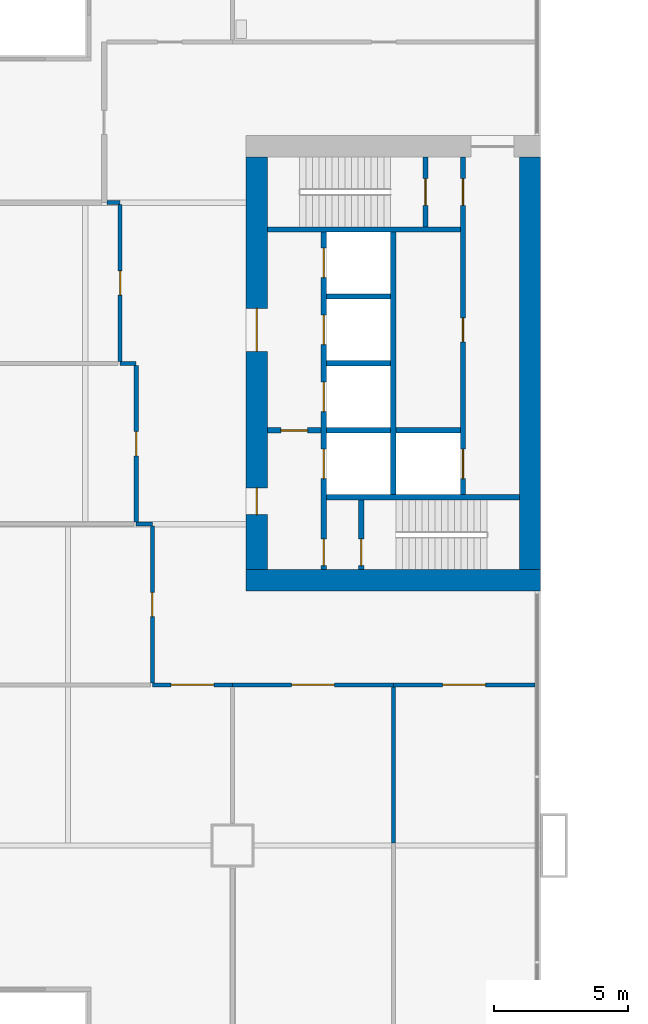
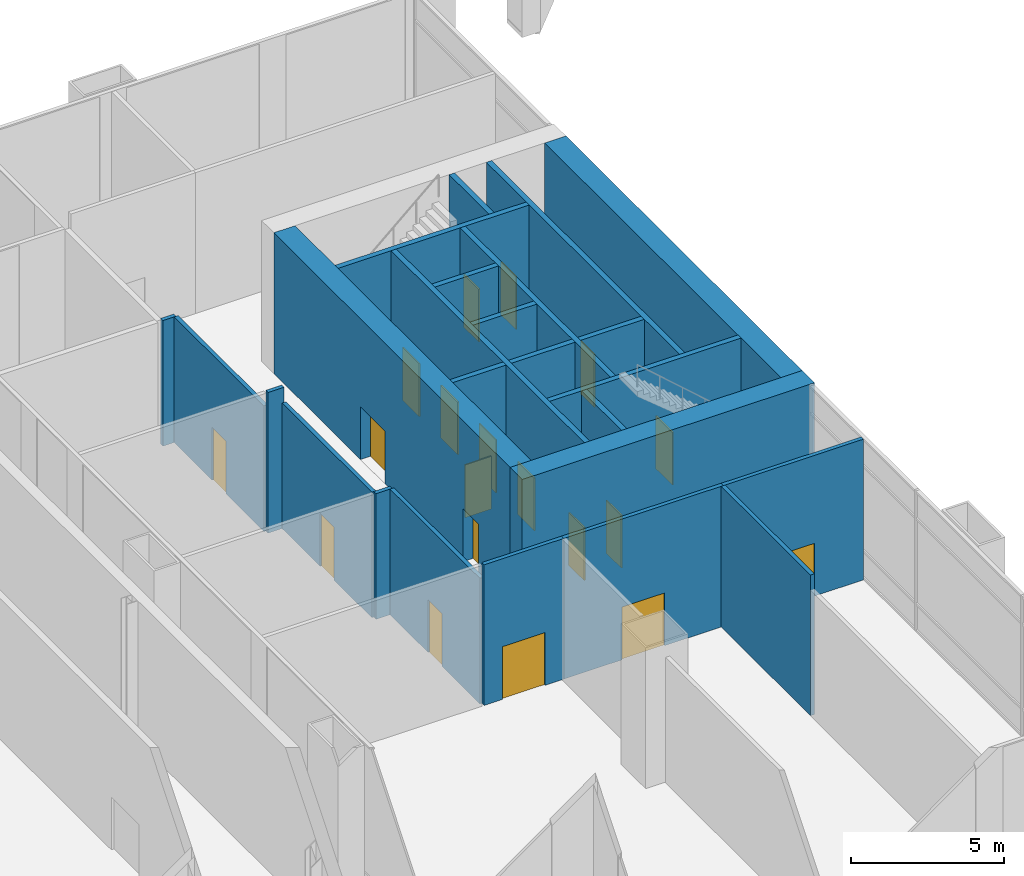
# One storey, part 18 of 25: 25 walls, 19 doors, 19 openings.
"""IFC4 building model written with IfcOpenShell, lengths in metres."""

from ifc_helpers import new_model, si_unit, direction, frame, frame_2d, origin, place, context, subcontext, project, spatial, rectangle, extrude, material, layer, layer_set, type_object, element, fill, save


model = new_model("IFC4")

# Units and contexts
model_context = context("Model", 3, precision=1e-05, world=origin(), true_north=direction((0.0, 1.0)))
body_context = subcontext(model_context, "Body", "Model", "MODEL_VIEW")
ifc_project = project(units=[si_unit("LENGTHUNIT", "METRE"), si_unit("AREAUNIT", "SQUARE_METRE"), si_unit("VOLUMEUNIT", "CUBIC_METRE"), si_unit("PLANEANGLEUNIT", "RADIAN"), si_unit("MASSUNIT", "GRAM", prefix="KILO")], contexts=[model_context])

# Site, building, storey
site_placement = place(None, origin())
site = spatial("IfcSite", under=ifc_project, at=site_placement, CompositionType="ELEMENT")
building_placement = place(site_placement, origin())
building = spatial("IfcBuilding", under=site, at=building_placement, Name="Kitamizu Gate Tower and Museum", CompositionType="ELEMENT")
storey_placement = place(building_placement, frame((0.0, 0.0, 12.0)))
storey = spatial("IfcBuildingStorey", under=building, at=storey_placement, Name="L02", CompositionType="ELEMENT", Elevation=12.0)

# Wall
ifc_material_1 = material(Name="Concrete Fc60", Category="concrete")
ifc_layer_1 = layer(ifc_material_1, 0.800048828125)
ifc_layer_set_1 = layer_set([ifc_layer_1], Name="Concrete Fc60")
wall_type_1 = type_object("IfcWallType", Name="Core wall 800", PredefinedType="SHEAR", material=ifc_layer_set_1)
wall_1_placement = place(storey_placement, frame((12.5, 21.89990234375, 0.0), z_axis=(0.0, 0.0, 1.0), x_axis=(1.0, 0.0, 0.0)))
element("IfcWall", 1, at=wall_1_placement, inside=storey, type_object=wall_type_1, Name="Core wall WS", PredefinedType="SHEAR", context=body_context, shape_type="SweptSolid", body=[
    extrude(rectangle(XDim=11.0, YDim=0.800048828125, at=frame_2d((5.5, 0.0))), origin(), (0.0, 0.0, 1.0), 5.60009765625),
])

# Wall, openings, doors
wall_2_placement = place(storey_placement, frame((12.89990234375, 22.300048828125, 0.0), z_axis=(0.0, 0.0, 1.0), x_axis=(0.0, 1.0, 0.0)))
wall_2 = element("IfcWall", 2, at=wall_2_placement, inside=storey, type_object=wall_type_1, Name="Core wall WOUT", PredefinedType="SHEAR", context=body_context, shape_type="SweptSolid", body=[
    extrude(rectangle(XDim=15.39990234375, YDim=0.800048828125, at=frame_2d((7.699951171875, 0.0))), origin(), (0.0, 0.0, 1.0), 5.60009765625),
])
opening_1_placement = place(wall_2_placement, frame((8.14990234375, 0.0, 0.0)))
opening_1 = element("IfcOpeningElement", 3, at=opening_1_placement, cuts=wall_2, Name="Opening L02-023", PredefinedType="OPENING", context=body_context, shape_type="SweptSolid", body=[
    extrude(rectangle(XDim=1.60009765625, YDim=2.10009765625, at=frame_2d((0.800048828125, 1.050048828125))), frame((0.0, 0.41015625, 0.0), z_axis=(0.0, -1.0, 0.0), x_axis=(1.0, 0.0, 0.0)), (0.0, 0.0, 1.0), 0.820068359375),
])
opening_2_placement = place(wall_2_placement, frame((2.050048828125, 0.0, 0.0)))
opening_2 = element("IfcOpeningElement", 4, at=opening_2_placement, cuts=wall_2, Name="Opening L02-024", PredefinedType="OPENING", context=body_context, shape_type="SweptSolid", body=[
    extrude(rectangle(XDim=1.0, YDim=2.10009765625, at=frame_2d((0.5, 1.050048828125))), frame((0.0, 0.41015625, 0.0), z_axis=(0.0, -1.0, 0.0), x_axis=(1.0, 0.0, 0.0)), (0.0, 0.0, 1.0), 0.820068359375),
])
ifc_material_2 = material(Name="Timber door set", Category="wood")
door_type_1 = type_object("IfcDoorType", Name="Entrance door 1600", OperationType="DOUBLE_DOOR_SINGLE_SWING", PredefinedType="DOOR", material=ifc_material_2)
door_1_placement = place(opening_1_placement, origin())
door_1 = element("IfcDoor", 5, at=door_1_placement, inside=storey, type_object=door_type_1, Name="Lobby door L02-023", OperationType="DOUBLE_DOOR_SINGLE_SWING", OverallHeight=2.10009765625, OverallWidth=1.60009765625, PredefinedType="DOOR", context=body_context, shape_type="SweptSolid", body=[
    extrude(rectangle(XDim=1.60009765625, YDim=2.10009765625, at=frame_2d((0.800048828125, 1.050048828125))), frame((0.0, 0.02490234375, 0.0), z_axis=(0.0, -1.0, 0.0), x_axis=(1.0, 0.0, 0.0)), (0.0, 0.0, 1.0), 0.050048828125),
])
fill(opening_1, door_1)
ifc_material_3 = material(Name="Hollow metal door set")
door_type_2 = type_object("IfcDoorType", Name="Fire door 1000", OperationType="NOTDEFINED", PredefinedType="DOOR", material=ifc_material_3)
door_2_placement = place(opening_2_placement, frame((1.0, 0.0, 0.0), x_axis=(-1.0, 0.0, 0.0)))
door_2 = element("IfcDoor", 6, at=door_2_placement, inside=storey, type_object=door_type_2, Name="Fire-fighting lobby door L02-024", OperationType="SINGLE_SWING_LEFT", OverallHeight=2.10009765625, OverallWidth=1.0, PredefinedType="DOOR", context=body_context, shape_type="SweptSolid", body=[
    extrude(rectangle(XDim=1.0, YDim=2.10009765625, at=frame_2d((0.5, 1.050048828125))), frame((0.0, 0.02490234375, 0.0), z_axis=(0.0, -1.0, 0.0), x_axis=(1.0, 0.0, 0.0)), (0.0, 0.0, 1.0), 0.050048828125),
])
fill(opening_2, door_2)

# Wall
wall_3_placement = place(storey_placement, frame((23.10009765625, 22.300048828125, 0.0), z_axis=(0.0, 0.0, 1.0), x_axis=(0.0, 1.0, 0.0)))
element("IfcWall", 7, at=wall_3_placement, inside=storey, type_object=wall_type_1, Name="Core wall WARC", PredefinedType="SHEAR", context=body_context, shape_type="SweptSolid", body=[
    extrude(rectangle(XDim=15.39990234375, YDim=0.800048828125, at=frame_2d((7.699951171875, 0.0))), origin(), (0.0, 0.0, 1.0), 5.60009765625),
])

# Wall, opening, door
ifc_material_4 = material(Name="Gypsum board on galvanised stud")
ifc_layer_2 = layer(ifc_material_4, 0.14990234375)
ifc_layer_set_2 = layer_set([ifc_layer_2], Name="Gypsum board on galvanised stud")
wall_type_2 = type_object("IfcWallType", Name="Partition 150", PredefinedType="PARTITIONING", material=ifc_layer_set_2)
wall_4_placement = place(storey_placement, frame((9.0, 18.0, 0.0), z_axis=(0.0, 0.0, 1.0), x_axis=(1.0, 0.0, 0.0)))
wall_4 = element("IfcWall", 8, at=wall_4_placement, inside=storey, type_object=wall_type_2, Name="Partition L02-001", PredefinedType="PARTITIONING", context=body_context, shape_type="SweptSolid", body=[
    extrude(rectangle(XDim=3.0, YDim=0.14990234375, at=frame_2d((1.5, 0.0))), origin(), (0.0, 0.0, 1.0), 5.60009765625),
])
opening_3_placement = place(wall_4_placement, frame((0.699951171875, 0.0, 0.0)))
opening_3 = element("IfcOpeningElement", 9, at=opening_3_placement, cuts=wall_4, Name="Opening L02-009", PredefinedType="OPENING", context=body_context, shape_type="SweptSolid", body=[
    extrude(rectangle(XDim=1.60009765625, YDim=2.10009765625, at=frame_2d((0.800048828125, 1.050048828125))), frame((0.0, 0.0849609375, 0.0), z_axis=(0.0, -1.0, 0.0), x_axis=(1.0, 0.0, 0.0)), (0.0, 0.0, 1.0), 0.169921875),
])
ifc_material_5 = material(Name="Timber door set", Category="wood")
door_type_3 = type_object("IfcDoorType", Name="Double door 1600", OperationType="DOUBLE_DOOR_SINGLE_SWING", PredefinedType="DOOR", material=ifc_material_5)
door_3_placement = place(opening_3_placement, origin())
door_3 = element("IfcDoor", 10, at=door_3_placement, inside=storey, type_object=door_type_3, Name="Double door L02-009", OperationType="DOUBLE_DOOR_SINGLE_SWING", OverallHeight=2.10009765625, OverallWidth=1.60009765625, PredefinedType="DOOR", context=body_context, shape_type="SweptSolid", body=[
    extrude(rectangle(XDim=1.60009765625, YDim=2.10009765625, at=frame_2d((0.800048828125, 1.050048828125))), frame((0.0, 0.02490234375, 0.0), z_axis=(0.0, -1.0, 0.0), x_axis=(1.0, 0.0, 0.0)), (0.0, 0.0, 1.0), 0.050048828125),
])
fill(opening_3, door_3)

wall_5_placement = place(storey_placement, frame((12.0, 18.0, 0.0), z_axis=(0.0, 0.0, 1.0), x_axis=(1.0, 0.0, 0.0)))
wall_5 = element("IfcWall", 11, at=wall_5_placement, inside=storey, type_object=wall_type_2, Name="Partition L02-002", PredefinedType="PARTITIONING", context=body_context, shape_type="SweptSolid", body=[
    extrude(rectangle(XDim=6.0, YDim=0.14990234375, at=frame_2d((3.0, 0.0))), origin(), (0.0, 0.0, 1.0), 5.60009765625),
])
opening_4_placement = place(wall_5_placement, frame((2.199951171875, 0.0, 0.0)))
opening_4 = element("IfcOpeningElement", 12, at=opening_4_placement, cuts=wall_5, Name="Opening L02-010", PredefinedType="OPENING", context=body_context, shape_type="SweptSolid", body=[
    extrude(rectangle(XDim=1.60009765625, YDim=2.10009765625, at=frame_2d((0.800048828125, 1.050048828125))), frame((0.0, 0.0849609375, 0.0), z_axis=(0.0, -1.0, 0.0), x_axis=(1.0, 0.0, 0.0)), (0.0, 0.0, 1.0), 0.169921875),
])
door_4_placement = place(opening_4_placement, origin())
door_4 = element("IfcDoor", 13, at=door_4_placement, inside=storey, type_object=door_type_3, Name="Double door L02-010", OperationType="DOUBLE_DOOR_SINGLE_SWING", OverallHeight=2.10009765625, OverallWidth=1.60009765625, PredefinedType="DOOR", context=body_context, shape_type="SweptSolid", body=[
    extrude(rectangle(XDim=1.60009765625, YDim=2.10009765625, at=frame_2d((0.800048828125, 1.050048828125))), frame((0.0, 0.02490234375, 0.0), z_axis=(0.0, -1.0, 0.0), x_axis=(1.0, 0.0, 0.0)), (0.0, 0.0, 1.0), 0.050048828125),
])
fill(opening_4, door_4)

wall_6_placement = place(storey_placement, frame((18.0, 18.0, 0.0), z_axis=(0.0, 0.0, 1.0), x_axis=(1.0, 0.0, 0.0)))
wall_6 = element("IfcWall", 14, at=wall_6_placement, inside=storey, type_object=wall_type_2, Name="Partition L02-003", PredefinedType="PARTITIONING", context=body_context, shape_type="SweptSolid", body=[
    extrude(rectangle(XDim=5.280029296875, YDim=0.14990234375, at=frame_2d((2.64013671875, 0.0))), origin(), (0.0, 0.0, 1.0), 5.60009765625),
])
opening_5_placement = place(wall_6_placement, frame((1.840087890625, 0.0, 0.0)))
opening_5 = element("IfcOpeningElement", 15, at=opening_5_placement, cuts=wall_6, Name="Opening L02-011", PredefinedType="OPENING", context=body_context, shape_type="SweptSolid", body=[
    extrude(rectangle(XDim=1.60009765625, YDim=2.10009765625, at=frame_2d((0.800048828125, 1.050048828125))), frame((0.0, 0.0849609375, 0.0), z_axis=(0.0, -1.0, 0.0), x_axis=(1.0, 0.0, 0.0)), (0.0, 0.0, 1.0), 0.169921875),
])
door_5_placement = place(opening_5_placement, origin())
door_5 = element("IfcDoor", 16, at=door_5_placement, inside=storey, type_object=door_type_3, Name="Double door L02-011", OperationType="DOUBLE_DOOR_SINGLE_SWING", OverallHeight=2.10009765625, OverallWidth=1.60009765625, PredefinedType="DOOR", context=body_context, shape_type="SweptSolid", body=[
    extrude(rectangle(XDim=1.60009765625, YDim=2.10009765625, at=frame_2d((0.800048828125, 1.050048828125))), frame((0.0, 0.02490234375, 0.0), z_axis=(0.0, -1.0, 0.0), x_axis=(1.0, 0.0, 0.0)), (0.0, 0.0, 1.0), 0.050048828125),
])
fill(opening_5, door_5)

# Wall
wall_7_placement = place(storey_placement, frame((8.39990234375, 24.0, 0.0), z_axis=(0.0, 0.0, 1.0), x_axis=(1.0, 0.0, 0.0)))
element("IfcWall", 17, at=wall_7_placement, inside=storey, type_object=wall_type_2, Name="Partition L02-004", PredefinedType="PARTITIONING", context=body_context, shape_type="SweptSolid", body=[
    extrude(rectangle(XDim=0.60009765625, YDim=0.14990234375, at=frame_2d((0.300048828125, 0.0))), origin(), (0.0, 0.0, 1.0), 5.0),
])

# Wall, opening, door
wall_8_placement = place(storey_placement, frame((9.0, 23.925048828125, 0.0), z_axis=(0.0, 0.0, 1.0), x_axis=(0.0, -1.0, 0.0)))
wall_8 = element("IfcWall", 18, at=wall_8_placement, inside=storey, type_object=wall_type_2, Name="Partition L02-005", PredefinedType="PARTITIONING", context=body_context, shape_type="SweptSolid", body=[
    extrude(rectangle(XDim=5.85009765625, YDim=0.14990234375, at=frame_2d((2.925048828125, 0.0))), origin(), (0.0, 0.0, 1.0), 5.0),
])
opening_6_placement = place(wall_8_placement, frame((2.47509765625, 0.0, 0.0)))
opening_6 = element("IfcOpeningElement", 19, at=opening_6_placement, cuts=wall_8, Name="Opening L02-012", PredefinedType="OPENING", context=body_context, shape_type="SweptSolid", body=[
    extrude(rectangle(XDim=0.89990234375, YDim=2.10009765625, at=frame_2d((0.449951171875, 1.050048828125))), frame((0.0, 0.0849609375, 0.0), z_axis=(0.0, -1.0, 0.0), x_axis=(1.0, 0.0, 0.0)), (0.0, 0.0, 1.0), 0.169921875),
])
ifc_material_6 = material(Name="Timber door set", Category="wood")
door_type_4 = type_object("IfcDoorType", Name="Room door 900", OperationType="NOTDEFINED", PredefinedType="DOOR", material=ifc_material_6)
door_6_placement = place(opening_6_placement, frame((0.89990234375, 0.0, 0.0), x_axis=(-1.0, 0.0, 0.0)))
door_6 = element("IfcDoor", 20, at=door_6_placement, inside=storey, type_object=door_type_4, Name="Door L02-012", OperationType="SINGLE_SWING_RIGHT", OverallHeight=2.10009765625, OverallWidth=0.89990234375, PredefinedType="DOOR", context=body_context, shape_type="SweptSolid", body=[
    extrude(rectangle(XDim=0.89990234375, YDim=2.10009765625, at=frame_2d((0.449951171875, 1.050048828125))), frame((0.0, 0.02490234375, 0.0), z_axis=(0.0, -1.0, 0.0), x_axis=(1.0, 0.0, 0.0)), (0.0, 0.0, 1.0), 0.050048828125),
])
fill(opening_6, door_6)

# Wall
wall_9_placement = place(storey_placement, frame((7.800048828125, 30.0, 0.0), z_axis=(0.0, 0.0, 1.0), x_axis=(1.0, 0.0, 0.0)))
element("IfcWall", 21, at=wall_9_placement, inside=storey, type_object=wall_type_2, Name="Partition L02-006", PredefinedType="PARTITIONING", context=body_context, shape_type="SweptSolid", body=[
    extrude(rectangle(XDim=0.599853515625, YDim=0.14990234375, at=frame_2d((0.2998046875, 0.0))), origin(), (0.0, 0.0, 1.0), 5.60009765625),
])

# Wall, opening, door
wall_10_placement = place(storey_placement, frame((8.39990234375, 29.925048828125, 0.0), z_axis=(0.0, 0.0, 1.0), x_axis=(0.0, -1.0, 0.0)))
wall_10 = element("IfcWall", 22, at=wall_10_placement, inside=storey, type_object=wall_type_2, Name="Partition L02-007", PredefinedType="PARTITIONING", context=body_context, shape_type="SweptSolid", body=[
    extrude(rectangle(XDim=5.85009765625, YDim=0.14990234375, at=frame_2d((2.925048828125, 0.0))), origin(), (0.0, 0.0, 1.0), 5.0),
])
opening_7_placement = place(wall_10_placement, frame((2.47509765625, 0.0, 0.0)))
opening_7 = element("IfcOpeningElement", 23, at=opening_7_placement, cuts=wall_10, Name="Opening L02-013", PredefinedType="OPENING", context=body_context, shape_type="SweptSolid", body=[
    extrude(rectangle(XDim=0.89990234375, YDim=2.10009765625, at=frame_2d((0.449951171875, 1.050048828125))), frame((0.0, 0.0849609375, 0.0), z_axis=(0.0, -1.0, 0.0), x_axis=(1.0, 0.0, 0.0)), (0.0, 0.0, 1.0), 0.169921875),
])
door_7_placement = place(opening_7_placement, frame((0.89990234375, 0.0, 0.0), x_axis=(-1.0, 0.0, 0.0)))
door_7 = element("IfcDoor", 24, at=door_7_placement, inside=storey, type_object=door_type_4, Name="Door L02-013", OperationType="SINGLE_SWING_LEFT", OverallHeight=2.10009765625, OverallWidth=0.89990234375, PredefinedType="DOOR", context=body_context, shape_type="SweptSolid", body=[
    extrude(rectangle(XDim=0.89990234375, YDim=2.10009765625, at=frame_2d((0.449951171875, 1.050048828125))), frame((0.0, 0.02490234375, 0.0), z_axis=(0.0, -1.0, 0.0), x_axis=(1.0, 0.0, 0.0)), (0.0, 0.0, 1.0), 0.050048828125),
])
fill(opening_7, door_7)

# Wall
wall_11_placement = place(storey_placement, frame((7.300048828125, 36.0, 0.0), z_axis=(0.0, 0.0, 1.0), x_axis=(1.0, 0.0, 0.0)))
element("IfcWall", 25, at=wall_11_placement, inside=storey, type_object=wall_type_2, Name="Partition L02-008", PredefinedType="PARTITIONING", context=body_context, shape_type="SweptSolid", body=[
    extrude(rectangle(XDim=0.5, YDim=0.14990234375, at=frame_2d((0.25, 0.0))), origin(), (0.0, 0.0, 1.0), 5.0),
])

# Wall, opening, door
wall_12_placement = place(storey_placement, frame((7.800048828125, 35.925048828125, 0.0), z_axis=(0.0, 0.0, 1.0), x_axis=(0.0, -1.0, 0.0)))
wall_12 = element("IfcWall", 26, at=wall_12_placement, inside=storey, type_object=wall_type_2, Name="Partition L02-009", PredefinedType="PARTITIONING", context=body_context, shape_type="SweptSolid", body=[
    extrude(rectangle(XDim=5.85009765625, YDim=0.14990234375, at=frame_2d((2.925048828125, 0.0))), origin(), (0.0, 0.0, 1.0), 5.0),
])
opening_8_placement = place(wall_12_placement, frame((2.47509765625, 0.0, 0.0)))
opening_8 = element("IfcOpeningElement", 27, at=opening_8_placement, cuts=wall_12, Name="Opening L02-014", PredefinedType="OPENING", context=body_context, shape_type="SweptSolid", body=[
    extrude(rectangle(XDim=0.89990234375, YDim=2.10009765625, at=frame_2d((0.449951171875, 1.050048828125))), frame((0.0, 0.0849609375, 0.0), z_axis=(0.0, -1.0, 0.0), x_axis=(1.0, 0.0, 0.0)), (0.0, 0.0, 1.0), 0.169921875),
])
door_8_placement = place(opening_8_placement, frame((0.89990234375, 0.0, 0.0), x_axis=(-1.0, 0.0, 0.0)))
door_8 = element("IfcDoor", 28, at=door_8_placement, inside=storey, type_object=door_type_4, Name="Door L02-014", OperationType="SINGLE_SWING_RIGHT", OverallHeight=2.10009765625, OverallWidth=0.89990234375, PredefinedType="DOOR", context=body_context, shape_type="SweptSolid", body=[
    extrude(rectangle(XDim=0.89990234375, YDim=2.10009765625, at=frame_2d((0.449951171875, 1.050048828125))), frame((0.0, 0.02490234375, 0.0), z_axis=(0.0, -1.0, 0.0), x_axis=(1.0, 0.0, 0.0)), (0.0, 0.0, 1.0), 0.050048828125),
])
fill(opening_8, door_8)

# Wall
wall_13_placement = place(storey_placement, frame((18.0, 12.10009765625, 0.0), z_axis=(0.0, 0.0, 1.0), x_axis=(0.0, 1.0, 0.0)))
element("IfcWall", 29, at=wall_13_placement, inside=storey, type_object=wall_type_2, Name="Partition L02-035", PredefinedType="PARTITIONING", context=body_context, shape_type="SweptSolid", body=[
    extrude(rectangle(XDim=5.824951171875, YDim=0.14990234375, at=frame_2d((2.91259765625, 0.0))), origin(), (0.0, 0.0, 1.0), 5.60009765625),
])

# Wall, openings, doors
ifc_material_7 = material(Name="Concrete Fc42", Category="concrete")
ifc_layer_3 = layer(ifc_material_7, 0.199951171875)
ifc_layer_set_3 = layer_set([ifc_layer_3], Name="Concrete Fc42")
wall_type_3 = type_object("IfcWallType", Name="Shaft wall 200", PredefinedType="SOLIDWALL", material=ifc_layer_set_3)
wall_14_placement = place(storey_placement, frame((15.39990234375, 22.300048828125, 0.0), z_axis=(0.0, 0.0, 1.0), x_axis=(0.0, 1.0, 0.0)))
wall_14 = element("IfcWall", 30, at=wall_14_placement, inside=storey, type_object=wall_type_3, Name="Shaft wall WWEST", PredefinedType="SOLIDWALL", context=body_context, shape_type="SweptSolid", body=[
    extrude(rectangle(XDim=12.599853515625, YDim=0.199951171875, at=frame_2d((6.2998046875, 0.0))), origin(), (0.0, 0.0, 1.0), 5.60009765625),
])
opening_9_placement = place(wall_14_placement, frame((3.39990234375, 0.0, 0.0)))
opening_9 = element("IfcOpeningElement", 31, at=opening_9_placement, cuts=wall_14, Name="Opening LD", PredefinedType="OPENING", context=body_context, shape_type="SweptSolid", body=[
    extrude(rectangle(XDim=1.10009765625, YDim=2.10009765625, at=frame_2d((0.550048828125, 1.050048828125))), frame((0.0, 0.10986328125, 0.0), z_axis=(0.0, -1.0, 0.0), x_axis=(1.0, 0.0, 0.0)), (0.0, 0.0, 1.0), 0.219970703125),
])
opening_10_placement = place(wall_14_placement, frame((5.89990234375, 0.0, 0.0)))
opening_10 = element("IfcOpeningElement", 32, at=opening_10_placement, cuts=wall_14, Name="Opening LD", PredefinedType="OPENING", context=body_context, shape_type="SweptSolid", body=[
    extrude(rectangle(XDim=1.10009765625, YDim=2.10009765625, at=frame_2d((0.550048828125, 1.050048828125))), frame((0.0, 0.10986328125, 0.0), z_axis=(0.0, -1.0, 0.0), x_axis=(1.0, 0.0, 0.0)), (0.0, 0.0, 1.0), 0.219970703125),
])
opening_11_placement = place(wall_14_placement, frame((8.39990234375, 0.0, 0.0)))
opening_11 = element("IfcOpeningElement", 33, at=opening_11_placement, cuts=wall_14, Name="Opening LD", PredefinedType="OPENING", context=body_context, shape_type="SweptSolid", body=[
    extrude(rectangle(XDim=1.10009765625, YDim=2.10009765625, at=frame_2d((0.550048828125, 1.050048828125))), frame((0.0, 0.10986328125, 0.0), z_axis=(0.0, -1.0, 0.0), x_axis=(1.0, 0.0, 0.0)), (0.0, 0.0, 1.0), 0.219970703125),
])
opening_12_placement = place(wall_14_placement, frame((10.89990234375, 0.0, 0.0)))
opening_12 = element("IfcOpeningElement", 34, at=opening_12_placement, cuts=wall_14, Name="Opening LD", PredefinedType="OPENING", context=body_context, shape_type="SweptSolid", body=[
    extrude(rectangle(XDim=1.10009765625, YDim=2.10009765625, at=frame_2d((0.550048828125, 1.050048828125))), frame((0.0, 0.10986328125, 0.0), z_axis=(0.0, -1.0, 0.0), x_axis=(1.0, 0.0, 0.0)), (0.0, 0.0, 1.0), 0.219970703125),
])
opening_13_placement = place(wall_14_placement, frame((0.14990234375, 0.0, 0.0)))
opening_13 = element("IfcOpeningElement", 35, at=opening_13_placement, cuts=wall_14, Name="Opening L02-019", PredefinedType="OPENING", context=body_context, shape_type="SweptSolid", body=[
    extrude(rectangle(XDim=1.0, YDim=2.10009765625, at=frame_2d((0.5, 1.050048828125))), frame((0.0, 0.10986328125, 0.0), z_axis=(0.0, -1.0, 0.0), x_axis=(1.0, 0.0, 0.0)), (0.0, 0.0, 1.0), 0.219970703125),
])
door_9_placement = place(opening_13_placement, frame((1.0, 0.0, 0.0), x_axis=(-1.0, 0.0, 0.0)))
door_9 = element("IfcDoor", 36, at=door_9_placement, inside=storey, type_object=door_type_2, Name="Stair lobby door L02-019", OperationType="SINGLE_SWING_LEFT", OverallHeight=2.10009765625, OverallWidth=1.0, PredefinedType="DOOR", context=body_context, shape_type="SweptSolid", body=[
    extrude(rectangle(XDim=1.0, YDim=2.10009765625, at=frame_2d((0.5, 1.050048828125))), frame((0.0, 0.02490234375, 0.0), z_axis=(0.0, -1.0, 0.0), x_axis=(1.0, 0.0, 0.0)), (0.0, 0.0, 1.0), 0.050048828125),
])
fill(opening_13, door_9)
ifc_material_8 = material(Name="Hollow metal door set")
door_type_5 = type_object("IfcDoorType", Name="Landing door 1100", OperationType="SLIDING_TO_LEFT", PredefinedType="DOOR", material=ifc_material_8)
door_10_placement = place(opening_9_placement, origin())
door_10 = element("IfcDoor", 37, at=door_10_placement, inside=storey, type_object=door_type_5, Name="Landing door WFF1", OperationType="SLIDING_TO_LEFT", OverallHeight=2.10009765625, OverallWidth=1.10009765625, PredefinedType="DOOR", context=body_context, shape_type="SweptSolid", body=[
    extrude(rectangle(XDim=1.10009765625, YDim=2.10009765625, at=frame_2d((0.550048828125, 1.050048828125))), frame((0.0, 0.02490234375, 0.0), z_axis=(0.0, -1.0, 0.0), x_axis=(1.0, 0.0, 0.0)), (0.0, 0.0, 1.0), 0.050048828125),
])
fill(opening_9, door_10)
door_11_placement = place(opening_10_placement, origin())
door_11 = element("IfcDoor", 38, at=door_11_placement, inside=storey, type_object=door_type_5, Name="Landing door WL1", OperationType="SLIDING_TO_LEFT", OverallHeight=2.10009765625, OverallWidth=1.10009765625, PredefinedType="DOOR", context=body_context, shape_type="SweptSolid", body=[
    extrude(rectangle(XDim=1.10009765625, YDim=2.10009765625, at=frame_2d((0.550048828125, 1.050048828125))), frame((0.0, 0.02490234375, 0.0), z_axis=(0.0, -1.0, 0.0), x_axis=(1.0, 0.0, 0.0)), (0.0, 0.0, 1.0), 0.050048828125),
])
fill(opening_10, door_11)
door_12_placement = place(opening_11_placement, origin())
door_12 = element("IfcDoor", 39, at=door_12_placement, inside=storey, type_object=door_type_5, Name="Landing door WL2", OperationType="SLIDING_TO_LEFT", OverallHeight=2.10009765625, OverallWidth=1.10009765625, PredefinedType="DOOR", context=body_context, shape_type="SweptSolid", body=[
    extrude(rectangle(XDim=1.10009765625, YDim=2.10009765625, at=frame_2d((0.550048828125, 1.050048828125))), frame((0.0, 0.02490234375, 0.0), z_axis=(0.0, -1.0, 0.0), x_axis=(1.0, 0.0, 0.0)), (0.0, 0.0, 1.0), 0.050048828125),
])
fill(opening_11, door_12)
door_13_placement = place(opening_12_placement, origin())
door_13 = element("IfcDoor", 40, at=door_13_placement, inside=storey, type_object=door_type_5, Name="Landing door WL3", OperationType="SLIDING_TO_LEFT", OverallHeight=2.10009765625, OverallWidth=1.10009765625, PredefinedType="DOOR", context=body_context, shape_type="SweptSolid", body=[
    extrude(rectangle(XDim=1.10009765625, YDim=2.10009765625, at=frame_2d((0.550048828125, 1.050048828125))), frame((0.0, 0.02490234375, 0.0), z_axis=(0.0, -1.0, 0.0), x_axis=(1.0, 0.0, 0.0)), (0.0, 0.0, 1.0), 0.050048828125),
])
fill(opening_12, door_13)

wall_15_placement = place(storey_placement, frame((20.60009765625, 25.10009765625, 0.0), z_axis=(0.0, 0.0, 1.0), x_axis=(0.0, 1.0, 0.0)))
wall_15 = element("IfcWall", 41, at=wall_15_placement, inside=storey, type_object=wall_type_3, Name="Shaft wall WEAST", PredefinedType="SOLIDWALL", context=body_context, shape_type="SweptSolid", body=[
    extrude(rectangle(XDim=12.599853515625, YDim=0.199951171875, at=frame_2d((6.2998046875, 0.0))), origin(), (0.0, 0.0, 1.0), 5.60009765625),
])
opening_14_placement = place(wall_15_placement, frame((0.60009765625, 0.0, 0.0)))
opening_14 = element("IfcOpeningElement", 42, at=opening_14_placement, cuts=wall_15, Name="Opening LD", PredefinedType="OPENING", context=body_context, shape_type="SweptSolid", body=[
    extrude(rectangle(XDim=1.10009765625, YDim=2.10009765625, at=frame_2d((0.550048828125, 1.050048828125))), frame((0.0, 0.10986328125, 0.0), z_axis=(0.0, -1.0, 0.0), x_axis=(1.0, 0.0, 0.0)), (0.0, 0.0, 1.0), 0.219970703125),
])
opening_15_placement = place(wall_15_placement, frame((10.800048828125, 0.0, 0.0)))
opening_15 = element("IfcOpeningElement", 43, at=opening_15_placement, cuts=wall_15, Name="Opening L02-020", PredefinedType="OPENING", context=body_context, shape_type="SweptSolid", body=[
    extrude(rectangle(XDim=1.0, YDim=2.10009765625, at=frame_2d((0.5, 1.050048828125))), frame((0.0, 0.10986328125, 0.0), z_axis=(0.0, -1.0, 0.0), x_axis=(1.0, 0.0, 0.0)), (0.0, 0.0, 1.0), 0.219970703125),
])
opening_16_placement = place(wall_15_placement, frame((5.699951171875, 0.0, 0.0)))
opening_16 = element("IfcOpeningElement", 44, at=opening_16_placement, cuts=wall_15, Name="Opening L02-026", PredefinedType="OPENING", context=body_context, shape_type="SweptSolid", body=[
    extrude(rectangle(XDim=0.89990234375, YDim=2.10009765625, at=frame_2d((0.449951171875, 1.050048828125))), frame((0.0, 0.10986328125, 0.0), z_axis=(0.0, -1.0, 0.0), x_axis=(1.0, 0.0, 0.0)), (0.0, 0.0, 1.0), 0.219970703125),
])
door_14_placement = place(opening_15_placement, origin())
door_14 = element("IfcDoor", 45, at=door_14_placement, inside=storey, type_object=door_type_2, Name="Stair lobby door L02-020", OperationType="SINGLE_SWING_LEFT", OverallHeight=2.10009765625, OverallWidth=1.0, PredefinedType="DOOR", context=body_context, shape_type="SweptSolid", body=[
    extrude(rectangle(XDim=1.0, YDim=2.10009765625, at=frame_2d((0.5, 1.050048828125))), frame((0.0, 0.02490234375, 0.0), z_axis=(0.0, -1.0, 0.0), x_axis=(1.0, 0.0, 0.0)), (0.0, 0.0, 1.0), 0.050048828125),
])
fill(opening_15, door_14)
door_15_placement = place(opening_14_placement, origin())
door_15 = element("IfcDoor", 46, at=door_15_placement, inside=storey, type_object=door_type_5, Name="Landing door WSV1", OperationType="SLIDING_TO_LEFT", OverallHeight=2.10009765625, OverallWidth=1.10009765625, PredefinedType="DOOR", context=body_context, shape_type="SweptSolid", body=[
    extrude(rectangle(XDim=1.10009765625, YDim=2.10009765625, at=frame_2d((0.550048828125, 1.050048828125))), frame((0.0, 0.02490234375, 0.0), z_axis=(0.0, -1.0, 0.0), x_axis=(1.0, 0.0, 0.0)), (0.0, 0.0, 1.0), 0.050048828125),
])
fill(opening_14, door_15)
ifc_material_9 = material(Name="Timber door set", Category="wood")
door_type_6 = type_object("IfcDoorType", Name="Service door 900", OperationType="NOTDEFINED", PredefinedType="DOOR", material=ifc_material_9)
door_16_placement = place(opening_16_placement, origin())
door_16 = element("IfcDoor", 47, at=door_16_placement, inside=storey, type_object=door_type_6, Name="Service door L02-026", OperationType="SINGLE_SWING_LEFT", OverallHeight=2.10009765625, OverallWidth=0.89990234375, PredefinedType="DOOR", context=body_context, shape_type="SweptSolid", body=[
    extrude(rectangle(XDim=0.89990234375, YDim=2.10009765625, at=frame_2d((0.449951171875, 1.050048828125))), frame((0.0, 0.02490234375, 0.0), z_axis=(0.0, -1.0, 0.0), x_axis=(1.0, 0.0, 0.0)), (0.0, 0.0, 1.0), 0.050048828125),
])
fill(opening_16, door_16)

# Walls
wall_16_placement = place(storey_placement, frame((18.0, 25.10009765625, 0.0), z_axis=(0.0, 0.0, 1.0), x_axis=(0.0, 1.0, 0.0)))
element("IfcWall", 48, at=wall_16_placement, inside=storey, type_object=wall_type_3, Name="Shaft wall WMID", PredefinedType="SOLIDWALL", context=body_context, shape_type="SweptSolid", body=[
    extrude(rectangle(XDim=9.7998046875, YDim=0.199951171875, at=frame_2d((4.89990234375, 0.0))), origin(), (0.0, 0.0, 1.0), 5.60009765625),
])
for number, where, z_axis, x_axis, name in (
    (49, (15.5, 25.0, 0.0), (0.0, 0.0, 1.0), (1.0, 0.0, 0.0), "Shaft wall WSB"),
    (50, (13.300048828125, 35.0, 0.0), (0.0, 0.0, 1.0), (1.0, 0.0, 0.0), "Shaft wall WNB"),
):
    element("IfcWall", number, at=place(storey_placement, frame(where, z_axis=z_axis, x_axis=x_axis)), inside=storey, type_object=wall_type_3, Name=name, PredefinedType="SOLIDWALL", context=body_context, shape_type="SweptSolid", body=[
        extrude(rectangle(XDim=7.199951171875, YDim=0.199951171875, at=frame_2d((3.60009765625, 0.0))), origin(), (0.0, 0.0, 1.0), 5.60009765625),
    ])

# Wall, opening, door
wall_17_placement = place(storey_placement, frame((13.300048828125, 27.5, 0.0), z_axis=(0.0, 0.0, 1.0), x_axis=(1.0, 0.0, 0.0)))
wall_17 = element("IfcWall", 51, at=wall_17_placement, inside=storey, type_object=wall_type_3, Name="Shaft wall WFFN", PredefinedType="SOLIDWALL", context=body_context, shape_type="SweptSolid", body=[
    extrude(rectangle(XDim=2.0, YDim=0.199951171875, at=frame_2d((1.0, 0.0))), origin(), (0.0, 0.0, 1.0), 5.60009765625),
])
opening_17_placement = place(wall_17_placement, frame((0.5, 0.0, 0.0)))
opening_17 = element("IfcOpeningElement", 52, at=opening_17_placement, cuts=wall_17, Name="Opening L02-022", PredefinedType="OPENING", context=body_context, shape_type="SweptSolid", body=[
    extrude(rectangle(XDim=1.0, YDim=2.10009765625, at=frame_2d((0.5, 1.050048828125))), frame((0.0, 0.10986328125, 0.0), z_axis=(0.0, -1.0, 0.0), x_axis=(1.0, 0.0, 0.0)), (0.0, 0.0, 1.0), 0.219970703125),
])
door_17_placement = place(opening_17_placement, frame((1.0, 0.0, 0.0), x_axis=(-1.0, 0.0, 0.0)))
door_17 = element("IfcDoor", 53, at=door_17_placement, inside=storey, type_object=door_type_2, Name="Fire-fighting lobby door L02-022", OperationType="SINGLE_SWING_RIGHT", OverallHeight=2.10009765625, OverallWidth=1.0, PredefinedType="DOOR", context=body_context, shape_type="SweptSolid", body=[
    extrude(rectangle(XDim=1.0, YDim=2.10009765625, at=frame_2d((0.5, 1.050048828125))), frame((0.0, 0.02490234375, 0.0), z_axis=(0.0, -1.0, 0.0), x_axis=(1.0, 0.0, 0.0)), (0.0, 0.0, 1.0), 0.050048828125),
])
fill(opening_17, door_17)

wall_18_placement = place(storey_placement, frame((16.800048828125, 22.300048828125, 0.0), z_axis=(0.0, 0.0, 1.0), x_axis=(0.0, 1.0, 0.0)))
wall_18 = element("IfcWall", 54, at=wall_18_placement, inside=storey, type_object=wall_type_3, Name="Shaft wall WSZ", PredefinedType="SOLIDWALL", context=body_context, shape_type="SweptSolid", body=[
    extrude(rectangle(XDim=2.599853515625, YDim=0.199951171875, at=frame_2d((1.2998046875, 0.0))), origin(), (0.0, 0.0, 1.0), 5.60009765625),
])
opening_18_placement = place(wall_18_placement, frame((0.14990234375, 0.0, 0.0)))
opening_18 = element("IfcOpeningElement", 55, at=opening_18_placement, cuts=wall_18, Name="Opening L02-018", PredefinedType="OPENING", context=body_context, shape_type="SweptSolid", body=[
    extrude(rectangle(XDim=1.0, YDim=2.10009765625, at=frame_2d((0.5, 1.050048828125))), frame((0.0, 0.10986328125, 0.0), z_axis=(0.0, -1.0, 0.0), x_axis=(1.0, 0.0, 0.0)), (0.0, 0.0, 1.0), 0.219970703125),
])
door_18_placement = place(opening_18_placement, frame((1.0, 0.0, 0.0), x_axis=(-1.0, 0.0, 0.0)))
door_18 = element("IfcDoor", 56, at=door_18_placement, inside=storey, type_object=door_type_2, Name="Stair door L02-018", OperationType="SINGLE_SWING_LEFT", OverallHeight=2.10009765625, OverallWidth=1.0, PredefinedType="DOOR", context=body_context, shape_type="SweptSolid", body=[
    extrude(rectangle(XDim=1.0, YDim=2.10009765625, at=frame_2d((0.5, 1.050048828125))), frame((0.0, 0.02490234375, 0.0), z_axis=(0.0, -1.0, 0.0), x_axis=(1.0, 0.0, 0.0)), (0.0, 0.0, 1.0), 0.050048828125),
])
fill(opening_18, door_18)

wall_19_placement = place(storey_placement, frame((19.199951171875, 35.10009765625, 0.0), z_axis=(0.0, 0.0, 1.0), x_axis=(0.0, 1.0, 0.0)))
wall_19 = element("IfcWall", 57, at=wall_19_placement, inside=storey, type_object=wall_type_3, Name="Shaft wall WNZ", PredefinedType="SOLIDWALL", context=body_context, shape_type="SweptSolid", body=[
    extrude(rectangle(XDim=2.599853515625, YDim=0.199951171875, at=frame_2d((1.2998046875, 0.0))), origin(), (0.0, 0.0, 1.0), 5.60009765625),
])
opening_19_placement = place(wall_19_placement, frame((0.800048828125, 0.0, 0.0)))
opening_19 = element("IfcOpeningElement", 58, at=opening_19_placement, cuts=wall_19, Name="Opening L02-021", PredefinedType="OPENING", context=body_context, shape_type="SweptSolid", body=[
    extrude(rectangle(XDim=1.0, YDim=2.10009765625, at=frame_2d((0.5, 1.050048828125))), frame((0.0, 0.10986328125, 0.0), z_axis=(0.0, -1.0, 0.0), x_axis=(1.0, 0.0, 0.0)), (0.0, 0.0, 1.0), 0.219970703125),
])
door_19_placement = place(opening_19_placement, origin())
door_19 = element("IfcDoor", 59, at=door_19_placement, inside=storey, type_object=door_type_2, Name="Stair door L02-021", OperationType="SINGLE_SWING_RIGHT", OverallHeight=2.10009765625, OverallWidth=1.0, PredefinedType="DOOR", context=body_context, shape_type="SweptSolid", body=[
    extrude(rectangle(XDim=1.0, YDim=2.10009765625, at=frame_2d((0.5, 1.050048828125))), frame((0.0, 0.02490234375, 0.0), z_axis=(0.0, -1.0, 0.0), x_axis=(1.0, 0.0, 0.0)), (0.0, 0.0, 1.0), 0.050048828125),
])
fill(opening_19, door_19)

# Walls
for number, where, z_axis, x_axis, name in (
    (60, (15.5, 27.5, 0.0), (0.0, 0.0, 1.0), (1.0, 0.0, 0.0), "Shaft wall WDVW0"),
    (61, (15.5, 30.0, 0.0), (0.0, 0.0, 1.0), (1.0, 0.0, 0.0), "Shaft wall WDVW1"),
    (62, (15.5, 32.5, 0.0), (0.0, 0.0, 1.0), (1.0, 0.0, 0.0), "Shaft wall WDVW2"),
    (63, (18.10009765625, 27.5, 0.0), (0.0, 0.0, 1.0), (1.0, 0.0, 0.0), "Shaft wall WDVE0"),
):
    element("IfcWall", number, at=place(storey_placement, frame(where, z_axis=z_axis, x_axis=x_axis)), inside=storey, type_object=wall_type_3, Name=name, PredefinedType="SOLIDWALL", context=body_context, shape_type="SweptSolid", body=[
        extrude(rectangle(XDim=2.39990234375, YDim=0.199951171875, at=frame_2d((1.199951171875, 0.0))), origin(), (0.0, 0.0, 1.0), 5.60009765625),
    ])

save(model, "model.ifc")
